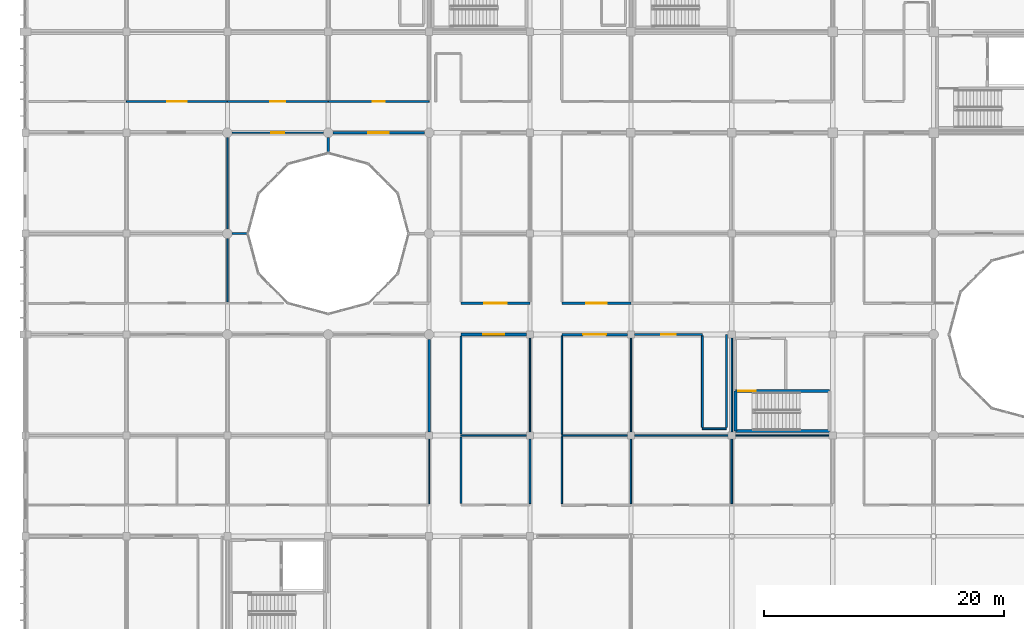
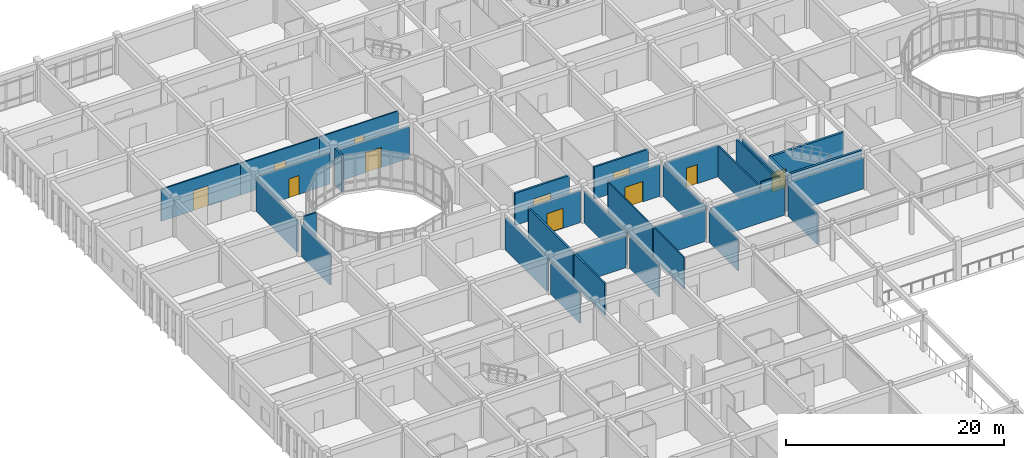
# One storey, part 107 of 144: 36 walls, 11 doors, 11 openings.
"""IFC4 building model written with IfcOpenShell, lengths in metres."""

import ifcopenshell
import ifcopenshell.guid

model = None  # the IFC model being written
_history = None  # IfcOwnerHistory: only IFC2X3 demands one
_inside = {}  # id of a spatial element -> (the spatial element, [elements in it])
_under = {}  # id of a project, library or spatial element -> (it, [spatial elements below it])
_declared = {}  # id of a project -> (the project, [libraries it declares])
_typed = {}  # id of a type object -> (the type object, [elements of that type])
_made_of = {}  # id of a material, layer set ... -> (it, [elements and type objects made of it])


def new_model(schema):
    """Start an empty IFC model of exactly this schema.

    Asked for "IFC4X3", IfcOpenShell would pick the latest addendum, in which some entities
    have other attributes; the version numbers below select the first issue.
    IFC2X3 requires an IfcOwnerHistory on every rooted entity: one is made here for all.
    """
    global model, _history
    if schema == "IFC4X3":
        model = ifcopenshell.file(schema_version=(4, 3, 0, 0))
    else:
        model = ifcopenshell.file(schema=schema)
    _inside.clear()
    _under.clear()
    _declared.clear()
    _typed.clear()
    _made_of.clear()
    _history = None
    if model.schema == "IFC2X3":
        org = make("IfcOrganization", Name="unknown")
        user = make(
            "IfcPersonAndOrganization",
            ThePerson=make("IfcPerson", FamilyName="unknown"),
            TheOrganization=org,
        )
        app = make(
            "IfcApplication",
            ApplicationDeveloper=org,
            Version="unknown",
            ApplicationFullName="unknown",
            ApplicationIdentifier="unknown",
        )
        _history = make(
            "IfcOwnerHistory",
            OwningUser=user,
            OwningApplication=app,
            ChangeAction="ADDED",
            CreationDate=0,
        )
    return model


def make(cls, **values):
    """One entity of the class cls with the attributes given. An attribute that is None is left unset."""
    return model.create_entity(
        cls, **{name: value for name, value in values.items() if value is not None}
    )


def rooted(cls, **values):
    """An entity with a GlobalId (a new one), such as an element, a storey or a relation."""
    return make(cls, GlobalId=ifcopenshell.guid.new(), OwnerHistory=_history, **values)


def si_unit(unit_type, name, prefix=None):
    """IfcSIUnit, for example si_unit("LENGTHUNIT", "METRE", prefix="MILLI")."""
    return make("IfcSIUnit", UnitType=unit_type, Prefix=prefix, Name=name)


def assignment(units):
    """IfcUnitAssignment: the units of a project."""
    return None if units is None else make("IfcUnitAssignment", Units=units)


def point(xyz):
    """IfcCartesianPoint."""
    return None if xyz is None else make("IfcCartesianPoint", Coordinates=xyz)


def direction(xyz):
    """IfcDirection."""
    return None if xyz is None else make("IfcDirection", DirectionRatios=xyz)


def frame(location, z_axis=None, x_axis=None):
    """IfcAxis2Placement3D, a coordinate frame: its origin and axes. An axis left out is left unset."""
    return make(
        "IfcAxis2Placement3D",
        Location=point(location),
        Axis=direction(z_axis),
        RefDirection=direction(x_axis),
    )


def frame_2d(location, x_axis=None):
    """IfcAxis2Placement2D, a coordinate frame in the plane: its origin and x axis."""
    return make(
        "IfcAxis2Placement2D", Location=point(location), RefDirection=direction(x_axis)
    )


def origin():
    """The frame at (0, 0, 0) with its axes left unset."""
    return frame((0.0, 0.0, 0.0))


def place(relative_to, where):
    """IfcLocalPlacement: puts the frame where relative to a parent placement (None: the world)."""
    return make(
        "IfcLocalPlacement", PlacementRelTo=relative_to, RelativePlacement=where
    )


def context(
    kind, dimensions, precision=None, world=None, true_north=None, identifier=None
):
    """IfcGeometricRepresentationContext, for example the 3D "Model" context."""
    return make(
        "IfcGeometricRepresentationContext",
        ContextIdentifier=identifier,
        ContextType=kind,
        CoordinateSpaceDimension=dimensions,
        Precision=precision,
        WorldCoordinateSystem=world,
        TrueNorth=true_north,
    )


def subcontext(parent, identifier, kind, view, scale=None):
    """IfcGeometricRepresentationSubContext, for example "Body" below "Model"."""
    return make(
        "IfcGeometricRepresentationSubContext",
        ContextIdentifier=identifier,
        ContextType=kind,
        ParentContext=parent,
        TargetScale=scale,
        TargetView=view,
    )


def project(units=None, contexts=None):
    """IfcProject with its units and contexts."""
    return rooted(
        "IfcProject",
        Name="project",
        RepresentationContexts=contexts,
        UnitsInContext=assignment(units),
    )


def spatial(cls, under=None, at=None, **own):
    """A site, building, storey or space (cls), placed at a placement, below another one or the project."""
    s = rooted(cls, ObjectPlacement=at, **own)
    if under is not None:
        _under.setdefault(under.id(), (under, []))[1].append(s)
    return s


def profile(cls, at=None, kind="AREA", **sizes):
    """A parametric profile (cls). Its sizes go by their IFC names, for example OverallWidth=200.0."""
    return make(cls, ProfileType=kind, Position=at, **sizes)


def rectangle(**sizes):
    """IfcRectangleProfileDef."""
    return profile("IfcRectangleProfileDef", **sizes)


def extrude(swept, where, along, depth):
    """IfcExtrudedAreaSolid: the profile swept, set in the frame where, extruded along a direction by depth."""
    return make(
        "IfcExtrudedAreaSolid",
        SweptArea=swept,
        Position=where,
        ExtrudedDirection=direction(along),
        Depth=depth,
    )


def shape(context_of_items, identifier, shape_type, items):
    """IfcShapeRepresentation: the items that make up one representation, for example the "Body"."""
    return make(
        "IfcShapeRepresentation",
        ContextOfItems=context_of_items,
        RepresentationIdentifier=identifier,
        RepresentationType=shape_type,
        Items=items,
    )


def material(Name=None, Category=None):
    """IfcMaterial."""
    return make("IfcMaterial", Name=Name, Category=Category)


def layer(
    of_material, thickness, ventilated=None, Name=None, Category=None, Priority=None
):
    """IfcMaterialLayer: one layer of a wall or slab, of a material (None: an air gap)."""
    return make(
        "IfcMaterialLayer",
        Material=of_material,
        LayerThickness=thickness,
        IsVentilated=ventilated,
        Name=Name,
        Category=Category,
        Priority=Priority,
    )


def layer_set(layers, Name=None):
    """IfcMaterialLayerSet."""
    return make("IfcMaterialLayerSet", MaterialLayers=layers, LayerSetName=Name)


def made_of(thing, what):
    """Note that an element or type object is made of a material, layer set ...; save() writes the relation."""
    if what is not None:
        _made_of.setdefault(what.id(), (what, []))[1].append(thing)
    return thing


def type_object(cls, material=None, **own):
    """A type object (cls), such as IfcWallType, which elements share."""
    return made_of(rooted(cls, **own), material)


def element(
    cls,
    number,
    at=None,
    inside=None,
    cuts=None,
    type_object=None,
    material=None,
    context=None,
    identifier="Body",
    shape_type=None,
    held_by="IfcProductDefinitionShape",
    body=None,
    shapes=None,
    **own,
):
    """One element of the class cls, such as IfcWall. Its Tag is "e" and its number.

    at: its placement. inside: the storey or other place that contains it. cuts: it is an
    opening in that element (IfcRelVoidsElement). A single representation is given by context,
    identifier, shape_type and body (its items); several are given by shapes. held_by: the class
    of the entity that holds the representations. save() writes the other relations.
    """
    e = rooted(cls, Tag="e%d" % number, ObjectPlacement=at, **own)
    if body is not None:
        shapes = [shape(context, identifier, shape_type, body)]
    if shapes is not None:
        e.Representation = make(held_by, Representations=shapes)
    if inside is not None:
        _inside.setdefault(inside.id(), (inside, []))[1].append(e)
    if cuts is not None:
        rooted(
            "IfcRelVoidsElement", RelatingBuildingElement=cuts, RelatedOpeningElement=e
        )
    if type_object is not None:
        _typed.setdefault(type_object.id(), (type_object, []))[1].append(e)
    return made_of(e, material)


def fill(opening, filler):
    """IfcRelFillsElement: the door or window that sits in an opening."""
    return rooted(
        "IfcRelFillsElement",
        RelatingOpeningElement=opening,
        RelatedBuildingElement=filler,
    )


def aggregate(whole, parts):
    """IfcRelAggregates: a whole, such as a stair, and the parts it consists of."""
    return rooted("IfcRelAggregates", RelatingObject=whole, RelatedObjects=parts)


def save(model, path):
    """Write the relations noted so far, then the file.

    IfcRelAggregates (storeys below a building ...), IfcRelContainedInSpatialStructure (elements
    in a storey), IfcRelDefinesByType, IfcRelAssociatesMaterial and IfcRelDeclares: one each for
    every whole, place, type object, material and project.
    """
    for whole, parts in _under.values():
        aggregate(whole, parts)
    for where, things in _inside.values():
        rooted(
            "IfcRelContainedInSpatialStructure",
            RelatedElements=things,
            RelatingStructure=where,
        )
    for kind, things in _typed.values():
        rooted("IfcRelDefinesByType", RelatedObjects=things, RelatingType=kind)
    for what, things in _made_of.values():
        rooted("IfcRelAssociatesMaterial", RelatedObjects=things, RelatingMaterial=what)
    for by, libraries in _declared.values():
        rooted("IfcRelDeclares", RelatingContext=by, RelatedDefinitions=libraries)
    model.write(path)


model = new_model("IFC4")

# Units and contexts
model_context = context("Model", 3, precision=1e-05, world=origin(), true_north=direction((0.0, 1.0)))
body_context = subcontext(model_context, "Body", "Model", "MODEL_VIEW")
ifc_project = project(units=[si_unit("LENGTHUNIT", "METRE"), si_unit("AREAUNIT", "SQUARE_METRE"), si_unit("VOLUMEUNIT", "CUBIC_METRE"), si_unit("PLANEANGLEUNIT", "RADIAN"), si_unit("MASSUNIT", "GRAM", prefix="KILO")], contexts=[model_context])

# Site, building, storey
site_placement = place(None, origin())
site = spatial("IfcSite", under=ifc_project, at=site_placement, CompositionType="ELEMENT")
building_placement = place(site_placement, origin())
building = spatial("IfcBuilding", under=site, at=building_placement, Name="Bramfleet General Hospital", CompositionType="ELEMENT")
storey_placement = place(building_placement, frame((0.0, 0.0, 4.800048828125)))
storey = spatial("IfcBuildingStorey", under=building, at=storey_placement, Name="L01", CompositionType="ELEMENT", Elevation=4.800048828125)

# Wall, opening, door
ifc_material_1 = material(Name="Concrete C35/45", Category="concrete")
ifc_layer_1 = layer(ifc_material_1, 0.219970703125, Name="WT-IW-01")
ifc_layer_set_1 = layer_set([ifc_layer_1], Name="Concrete C35/45")
wall_type_1 = type_object("IfcWallType", Name="WT-IW-01", PredefinedType="PARTITIONING", material=ifc_layer_set_1)
wall_1_placement = place(storey_placement, frame((36.25, 75.60009765625, 0.0), z_axis=(0.0, 0.0, 1.0), x_axis=(1.0, 0.0, 0.0)))
wall_1 = element("IfcWall", 1, at=wall_1_placement, inside=storey, type_object=wall_type_1, Name="L01 Interior Partition IW-L01-1429", PredefinedType="PARTITIONING", context=body_context, shape_type="SweptSolid", body=[
    extrude(rectangle(XDim=5.455078125, YDim=0.219970703125, at=frame_2d((2.7275390625, 0.0))), origin(), (0.0, 0.0, 1.0), 3.5400390625),
])
opening_1_placement = place(wall_1_placement, frame((1.857421875, 0.0, 0.0)))
opening_1 = element("IfcOpeningElement", 2, at=opening_1_placement, cuts=wall_1, Name="Opening D0691", PredefinedType="OPENING", context=body_context, shape_type="SweptSolid", body=[
    extrude(rectangle(XDim=1.739990234375, YDim=2.239990234375, at=frame_2d((0.8701171875, 1.1201171875))), frame((0.0, 0.119873046875, 0.0), z_axis=(0.0, -1.0, 0.0), x_axis=(1.0, 0.0, 0.0)), (0.0, 0.0, 1.0), 0.239990234375),
])
ifc_material_2 = material(Name="Stainless steel and acoustic timber leaf", Category="steel")
door_type_1 = type_object("IfcDoorType", Name="DR-D-19", OperationType="NOTDEFINED", PredefinedType="DOOR", material=ifc_material_2)
door_1_placement = place(opening_1_placement, origin())
door_1 = element("IfcDoor", 3, at=door_1_placement, inside=storey, type_object=door_type_1, Name="Endoscopy and Day Surgery Procedure Room L01-0408 Door D0691", OperationType="DOUBLE_SWING_RIGHT", OverallHeight=2.239990234375, OverallWidth=1.739990234375, PredefinedType="DOOR", context=body_context, shape_type="SweptSolid", body=[
    extrude(rectangle(XDim=1.739990234375, YDim=2.239990234375, at=frame_2d((0.8701171875, 1.1201171875))), frame((0.0, 0.02490234375, 0.0), z_axis=(0.0, -1.0, 0.0), x_axis=(1.0, 0.0, 0.0)), (0.0, 0.0, 1.0), 0.050048828125),
])
fill(opening_1, door_1)

wall_2_placement = place(storey_placement, frame((25.594970703125, 92.39990234375, 0.0), z_axis=(0.0, 0.0, 1.0), x_axis=(1.0, 0.0, 0.0)))
wall_2 = element("IfcWall", 4, at=wall_2_placement, inside=storey, type_object=wall_type_1, Name="L01 Interior Partition IW-L01-1477", PredefinedType="PARTITIONING", context=body_context, shape_type="SweptSolid", body=[
    extrude(rectangle(XDim=7.610107421875, YDim=0.219970703125, at=frame_2d((3.80517578125, 0.0))), origin(), (0.0, 0.0, 1.0), 3.5400390625),
])
opening_2_placement = place(wall_2_placement, frame((2.955078125, 0.0, 0.0)))
opening_2 = element("IfcOpeningElement", 5, at=opening_2_placement, cuts=wall_2, Name="Opening D0679", PredefinedType="OPENING", context=body_context, shape_type="SweptSolid", body=[
    extrude(rectangle(XDim=1.699951171875, YDim=2.25, at=frame_2d((0.85009765625, 1.125))), frame((0.0, 0.119873046875, 0.0), z_axis=(0.0, -1.0, 0.0), x_axis=(1.0, 0.0, 0.0)), (0.0, 0.0, 1.0), 0.239990234375),
])
door_type_2 = type_object("IfcDoorType", Name="DR-D-07", OperationType="NOTDEFINED", PredefinedType="DOOR", material=ifc_material_2)
door_2_placement = place(opening_2_placement, origin())
door_2 = element("IfcDoor", 6, at=door_2_placement, inside=storey, type_object=door_type_2, Name="Courtyard Waiting Lounge L01-0310 Door D0679", OperationType="DOUBLE_SWING_RIGHT", OverallHeight=2.25, OverallWidth=1.699951171875, PredefinedType="DOOR", context=body_context, shape_type="SweptSolid", body=[
    extrude(rectangle(XDim=1.699951171875, YDim=2.25, at=frame_2d((0.85009765625, 1.125))), frame((0.0, 0.02490234375, 0.0), z_axis=(0.0, -1.0, 0.0), x_axis=(1.0, 0.0, 0.0)), (0.0, 0.0, 1.0), 0.050048828125),
])
fill(opening_2, door_2)

# Wall
wall_3_placement = place(storey_placement, frame((33.60009765625, 67.4951171875, 0.0), z_axis=(0.0, 0.0, 1.0), x_axis=(0.0, 1.0, 0.0)))
element("IfcWall", 7, at=wall_3_placement, inside=storey, type_object=wall_type_1, Name="L01 Interior Partition IW-L01-1681", PredefinedType="PARTITIONING", context=body_context, shape_type="SweptSolid", body=[
    extrude(rectangle(XDim=7.7099609375, YDim=0.219970703125, at=frame_2d((3.85498046875, 0.0))), origin(), (0.0, 0.0, 1.0), 3.58984375),
])

# Wall, opening, door
ifc_layer_2 = layer(ifc_material_1, 0.205078125, Name="WT-IW-02")
ifc_layer_set_2 = layer_set([ifc_layer_2], Name="Concrete C35/45")
wall_type_2 = type_object("IfcWallType", Name="WT-IW-02", PredefinedType="PARTITIONING", material=ifc_layer_set_2)
wall_4_placement = place(storey_placement, frame((44.64990234375, 75.60009765625, 0.0), z_axis=(0.0, 0.0, 1.0), x_axis=(1.0, 0.0, 0.0)))
wall_4 = element("IfcWall", 8, at=wall_4_placement, inside=storey, type_object=wall_type_2, Name="L01 Interior Partition IW-L01-1430", PredefinedType="PARTITIONING", context=body_context, shape_type="SweptSolid", body=[
    extrude(rectangle(XDim=5.455078125, YDim=0.205078125, at=frame_2d((2.7275390625, 0.0))), origin(), (0.0, 0.0, 1.0), 3.5400390625),
])
opening_3_placement = place(wall_4_placement, frame((1.777587890625, 0.0, 0.0)))
opening_3 = element("IfcOpeningElement", 9, at=opening_3_placement, cuts=wall_4, Name="Opening D0710", PredefinedType="OPENING", context=body_context, shape_type="SweptSolid", body=[
    extrude(rectangle(XDim=1.89990234375, YDim=2.300048828125, at=frame_2d((0.949951171875, 1.14990234375))), frame((0.0, 0.112548828125, 0.0), z_axis=(0.0, -1.0, 0.0), x_axis=(1.0, 0.0, 0.0)), (0.0, 0.0, 1.0), 0.22509765625),
])
door_type_3 = type_object("IfcDoorType", Name="DR-D-06", OperationType="NOTDEFINED", PredefinedType="DOOR", material=ifc_material_2)
door_3_placement = place(opening_3_placement, origin())
door_3 = element("IfcDoor", 10, at=door_3_placement, inside=storey, type_object=door_type_3, Name="Endoscopy and Day Surgery Procedure Room L01-0508 Door D0710", OperationType="DOUBLE_SWING_LEFT", OverallHeight=2.300048828125, OverallWidth=1.89990234375, PredefinedType="DOOR", context=body_context, shape_type="SweptSolid", body=[
    extrude(rectangle(XDim=1.89990234375, YDim=2.300048828125, at=frame_2d((0.949951171875, 1.14990234375))), frame((0.0, 0.02490234375, 0.0), z_axis=(0.0, -1.0, 0.0), x_axis=(1.0, 0.0, 0.0)), (0.0, 0.0, 1.0), 0.050048828125),
])
fill(opening_3, door_3)

wall_5_placement = place(storey_placement, frame((36.25, 78.199951171875, 0.0), z_axis=(0.0, 0.0, 1.0), x_axis=(1.0, 0.0, 0.0)))
wall_5 = element("IfcWall", 11, at=wall_5_placement, inside=storey, type_object=wall_type_2, Name="L01 Interior Partition IW-L01-1442", PredefinedType="PARTITIONING", context=body_context, shape_type="SweptSolid", body=[
    extrude(rectangle(XDim=5.75, YDim=0.205078125, at=frame_2d((2.875, 0.0))), origin(), (0.0, 0.0, 1.0), 3.58984375),
])
opening_4_placement = place(wall_5_placement, frame((1.955078125, 0.0, 0.0)))
opening_4 = element("IfcOpeningElement", 12, at=opening_4_placement, cuts=wall_5, Name="Opening D0692", PredefinedType="OPENING", context=body_context, shape_type="SweptSolid", body=[
    extrude(rectangle(XDim=1.840087890625, YDim=2.280029296875, at=frame_2d((0.919921875, 1.14013671875))), frame((0.0, 0.112548828125, 0.0), z_axis=(0.0, -1.0, 0.0), x_axis=(1.0, 0.0, 0.0)), (0.0, 0.0, 1.0), 0.22509765625),
])
door_type_4 = type_object("IfcDoorType", Name="DR-D-20", OperationType="NOTDEFINED", PredefinedType="DOOR", material=ifc_material_2)
door_4_placement = place(opening_4_placement, origin())
door_4 = element("IfcDoor", 13, at=door_4_placement, inside=storey, type_object=door_type_4, Name="Endoscopy and Day Surgery Procedure Room L01-0409 Door D0692", OperationType="DOUBLE_SWING_LEFT", OverallHeight=2.280029296875, OverallWidth=1.840087890625, PredefinedType="DOOR", context=body_context, shape_type="SweptSolid", body=[
    extrude(rectangle(XDim=1.840087890625, YDim=2.280029296875, at=frame_2d((0.919921875, 1.14013671875))), frame((0.0, 0.02490234375, 0.0), z_axis=(0.0, -1.0, 0.0), x_axis=(1.0, 0.0, 0.0)), (0.0, 0.0, 1.0), 0.050048828125),
])
fill(opening_4, door_4)

# Wall
wall_6_placement = place(storey_placement, frame((25.199951171875, 90.699951171875, 0.0), z_axis=(0.0, 0.0, 1.0), x_axis=(0.0, 1.0, 0.0)))
element("IfcWall", 14, at=wall_6_placement, inside=storey, type_object=wall_type_2, Name="L01 Interior Partition IW-L01-1658", PredefinedType="PARTITIONING", context=body_context, shape_type="SweptSolid", body=[
    extrude(rectangle(XDim=1.304931640625, YDim=0.205078125, at=frame_2d((0.65234375, 0.0))), origin(), (0.0, 0.0, 1.0), 4.139892578125),
])

# Wall, opening, door
ifc_layer_3 = layer(ifc_material_1, 0.18994140625, Name="WT-IW-03")
ifc_layer_set_3 = layer_set([ifc_layer_3], Name="Concrete C35/45")
wall_type_3 = type_object("IfcWallType", Name="WT-IW-03", PredefinedType="PARTITIONING", material=ifc_layer_set_3)
wall_7_placement = place(storey_placement, frame((50.695068359375, 75.60009765625, 0.0), z_axis=(0.0, 0.0, 1.0), x_axis=(1.0, 0.0, 0.0)))
wall_7 = element("IfcWall", 15, at=wall_7_placement, inside=storey, type_object=wall_type_3, Name="L01 Interior Partition IW-L01-1431", PredefinedType="PARTITIONING", context=body_context, shape_type="SweptSolid", body=[
    extrude(rectangle(XDim=5.655029296875, YDim=0.18994140625, at=frame_2d((2.82763671875, 0.0))), origin(), (0.0, 0.0, 1.0), 3.5400390625),
])
opening_5_placement = place(wall_7_placement, frame((2.2275390625, 0.0, 0.0)))
opening_5 = element("IfcOpeningElement", 16, at=opening_5_placement, cuts=wall_7, Name="Opening D0717", PredefinedType="OPENING", context=body_context, shape_type="SweptSolid", body=[
    extrude(rectangle(XDim=1.199951171875, YDim=2.14990234375, at=frame_2d((0.60009765625, 1.074951171875))), frame((0.0, 0.10498046875, 0.0), z_axis=(0.0, -1.0, 0.0), x_axis=(1.0, 0.0, 0.0)), (0.0, 0.0, 1.0), 0.2099609375),
])
door_type_5 = type_object("IfcDoorType", Name="DR-D-13", OperationType="NOTDEFINED", PredefinedType="DOOR", material=ifc_material_2)
door_5_placement = place(opening_5_placement, origin())
door_5 = element("IfcDoor", 17, at=door_5_placement, inside=storey, type_object=door_type_5, Name="Endoscopy and Day Surgery Procedure Room L01-0608 Door D0717", OperationType="SINGLE_SWING_RIGHT", OverallHeight=2.14990234375, OverallWidth=1.199951171875, PredefinedType="DOOR", context=body_context, shape_type="SweptSolid", body=[
    extrude(rectangle(XDim=1.199951171875, YDim=2.14990234375, at=frame_2d((0.60009765625, 1.074951171875))), frame((0.0, 0.02490234375, 0.0), z_axis=(0.0, -1.0, 0.0), x_axis=(1.0, 0.0, 0.0)), (0.0, 0.0, 1.0), 0.050048828125),
])
fill(opening_5, door_5)

wall_8_placement = place(storey_placement, frame((44.64990234375, 78.199951171875, 0.0), z_axis=(0.0, 0.0, 1.0), x_axis=(1.0, 0.0, 0.0)))
wall_8 = element("IfcWall", 18, at=wall_8_placement, inside=storey, type_object=wall_type_3, Name="L01 Interior Partition IW-L01-1443", PredefinedType="PARTITIONING", context=body_context, shape_type="SweptSolid", body=[
    extrude(rectangle(XDim=5.75, YDim=0.18994140625, at=frame_2d((2.875, 0.0))), origin(), (0.0, 0.0, 1.0), 3.58984375),
])
opening_6_placement = place(wall_8_placement, frame((2.02490234375, 0.0, 0.0)))
opening_6 = element("IfcOpeningElement", 19, at=opening_6_placement, cuts=wall_8, Name="Opening D0711", PredefinedType="OPENING", context=body_context, shape_type="SweptSolid", body=[
    extrude(rectangle(XDim=1.699951171875, YDim=2.25, at=frame_2d((0.85009765625, 1.125))), frame((0.0, 0.10498046875, 0.0), z_axis=(0.0, -1.0, 0.0), x_axis=(1.0, 0.0, 0.0)), (0.0, 0.0, 1.0), 0.2099609375),
])
door_6_placement = place(opening_6_placement, origin())
door_6 = element("IfcDoor", 20, at=door_6_placement, inside=storey, type_object=door_type_2, Name="Endoscopy and Day Surgery Procedure Room L01-0509 Door D0711", OperationType="DOUBLE_SWING_RIGHT", OverallHeight=2.25, OverallWidth=1.699951171875, PredefinedType="DOOR", context=body_context, shape_type="SweptSolid", body=[
    extrude(rectangle(XDim=1.699951171875, YDim=2.25, at=frame_2d((0.85009765625, 1.125))), frame((0.0, 0.02490234375, 0.0), z_axis=(0.0, -1.0, 0.0), x_axis=(1.0, 0.0, 0.0)), (0.0, 0.0, 1.0), 0.050048828125),
])
fill(opening_6, door_6)

# Walls
wall_9_placement = place(storey_placement, frame((36.25, 61.514892578125, 0.0), z_axis=(0.0, 0.0, 1.0), x_axis=(0.0, 1.0, 0.0)))
element("IfcWall", 21, at=wall_9_placement, inside=storey, type_object=wall_type_3, Name="L01 Interior Partition IW-L01-1695", PredefinedType="PARTITIONING", context=body_context, shape_type="SweptSolid", body=[
    extrude(rectangle(XDim=5.570068359375, YDim=0.18994140625, at=frame_2d((2.78515625, 0.0))), origin(), (0.0, 0.0, 1.0), 3.5400390625),
])
ifc_layer_4 = layer(ifc_material_1, 0.179931640625, Name="WT-IW-04")
ifc_layer_set_4 = layer_set([ifc_layer_4], Name="Concrete C35/45")
wall_type_4 = type_object("IfcWallType", Name="WT-IW-04", PredefinedType="PARTITIONING", material=ifc_layer_set_4)
wall_10_placement = place(storey_placement, frame((36.25, 67.31494140625, 0.0), z_axis=(0.0, 0.0, 1.0), x_axis=(0.0, 1.0, 0.0)))
element("IfcWall", 22, at=wall_10_placement, inside=storey, type_object=wall_type_4, Name="L01 Interior Partition IW-L01-1696", PredefinedType="PARTITIONING", context=body_context, shape_type="SweptSolid", body=[
    extrude(rectangle(XDim=8.170166015625, YDim=0.179931640625, at=frame_2d((4.0849609375, 0.0))), origin(), (0.0, 0.0, 1.0), 3.5400390625),
])
ifc_material_3 = material(Name="Gypsum plasterboard on acoustic steel studs", Category="steel")
ifc_layer_5 = layer(ifc_material_3, 0.169921875, Name="WT-IW-05")
ifc_layer_set_5 = layer_set([ifc_layer_5], Name="Gypsum plasterboard on acoustic steel studs")
wall_type_5 = type_object("IfcWallType", Name="WT-IW-05", PredefinedType="PARTITIONING", material=ifc_layer_set_5)
wall_11_placement = place(storey_placement, frame((17.195068359375, 84.0, 0.0), z_axis=(0.0, 0.0, 1.0), x_axis=(1.0, 0.0, 0.0)))
element("IfcWall", 23, at=wall_11_placement, inside=storey, type_object=wall_type_5, Name="L01 Interior Partition IW-L01-1457", PredefinedType="PARTITIONING", context=body_context, shape_type="SweptSolid", body=[
    extrude(rectangle(XDim=1.304931640625, YDim=0.169921875, at=frame_2d((0.65234375, 0.0))), origin(), (0.0, 0.0, 1.0), 4.139892578125),
])
ifc_layer_6 = layer(ifc_material_3, 0.159912109375, Name="WT-IW-06")
ifc_layer_set_6 = layer_set([ifc_layer_6], Name="Gypsum plasterboard on acoustic steel studs")
wall_type_6 = type_object("IfcWallType", Name="WT-IW-06", PredefinedType="PARTITIONING", material=ifc_layer_set_6)
wall_12_placement = place(storey_placement, frame((56.35009765625, 67.864990234375, 0.0), z_axis=(0.0, 0.0, 1.0), x_axis=(0.0, 1.0, 0.0)))
element("IfcWall", 24, at=wall_12_placement, inside=storey, type_object=wall_type_6, Name="L01 Interior Partition IW-L01-1758", PredefinedType="PARTITIONING", context=body_context, shape_type="SweptSolid", body=[
    extrude(rectangle(XDim=7.6201171875, YDim=0.159912109375, at=frame_2d((3.81005859375, 0.0))), origin(), (0.0, 0.0, 1.0), 3.5400390625),
])

# Wall, opening, door
ifc_layer_7 = layer(ifc_material_3, 0.14990234375, Name="WT-IW-07")
ifc_layer_set_7 = layer_set([ifc_layer_7], Name="Gypsum plasterboard on acoustic steel studs")
wall_type_7 = type_object("IfcWallType", Name="WT-IW-07", PredefinedType="PARTITIONING", material=ifc_layer_set_7)
wall_13_placement = place(storey_placement, frame((8.39990234375, 95.0, 0.0), z_axis=(0.0, 0.0, 1.0), x_axis=(1.0, 0.0, 0.0)))
wall_13 = element("IfcWall", 25, at=wall_13_placement, inside=storey, type_object=wall_type_7, Name="L01 Interior Partition IW-L01-1495", PredefinedType="PARTITIONING", context=body_context, shape_type="SweptSolid", body=[
    extrude(rectangle(XDim=8.400146484375, YDim=0.14990234375, at=frame_2d((4.2001953125, 0.0))), origin(), (0.0, 0.0, 1.0), 3.58984375),
])
opening_7_placement = place(wall_13_placement, frame((3.39990234375, 0.0, 0.0)))
opening_7 = element("IfcOpeningElement", 26, at=opening_7_placement, cuts=wall_13, Name="Opening D0644", PredefinedType="OPENING", context=body_context, shape_type="SweptSolid", body=[
    extrude(rectangle(XDim=1.60009765625, YDim=2.25, at=frame_2d((0.800048828125, 1.125))), frame((0.0, 0.0849609375, 0.0), z_axis=(0.0, -1.0, 0.0), x_axis=(1.0, 0.0, 0.0)), (0.0, 0.0, 1.0), 0.169921875),
])
door_type_6 = type_object("IfcDoorType", Name="DR-D-04", OperationType="NOTDEFINED", PredefinedType="DOOR", material=ifc_material_2)
door_7_placement = place(opening_7_placement, origin())
door_7 = element("IfcDoor", 27, at=door_7_placement, inside=storey, type_object=door_type_6, Name="Endoscopy and Day Surgery Procedure Room L01-0111 Door D0644", OperationType="DOUBLE_SWING_LEFT", OverallHeight=2.25, OverallWidth=1.60009765625, PredefinedType="DOOR", context=body_context, shape_type="SweptSolid", body=[
    extrude(rectangle(XDim=1.60009765625, YDim=2.25, at=frame_2d((0.800048828125, 1.125))), frame((0.0, 0.02490234375, 0.0), z_axis=(0.0, -1.0, 0.0), x_axis=(1.0, 0.0, 0.0)), (0.0, 0.0, 1.0), 0.050048828125),
])
fill(opening_7, door_7)

# Walls
wall_14_placement = place(storey_placement, frame((58.35009765625, 67.864990234375, 0.0), z_axis=(0.0, 0.0, 1.0), x_axis=(0.0, 1.0, 0.0)))
element("IfcWall", 28, at=wall_14_placement, inside=storey, type_object=wall_type_7, Name="L01 Interior Partition IW-L01-1759", PredefinedType="PARTITIONING", context=body_context, shape_type="SweptSolid", body=[
    extrude(rectangle(XDim=7.735107421875, YDim=0.14990234375, at=frame_2d((3.86767578125, 0.0))), origin(), (0.0, 0.0, 1.0), 3.5400390625),
])
ifc_layer_8 = layer(ifc_material_3, 0.139892578125, Name="WT-IW-08")
ifc_layer_set_8 = layer_set([ifc_layer_8], Name="Gypsum plasterboard on acoustic steel studs")
wall_type_8 = type_object("IfcWallType", Name="WT-IW-08", PredefinedType="PARTITIONING", material=ifc_layer_set_8)
wall_15_placement = place(storey_placement, frame((56.35009765625, 67.75, 0.0), z_axis=(0.0, 0.0, 1.0), x_axis=(1.0, 0.0, 0.0)))
element("IfcWall", 29, at=wall_15_placement, inside=storey, type_object=wall_type_8, Name="L01 Interior Partition IW-L01-1424", PredefinedType="PARTITIONING", context=body_context, shape_type="SweptSolid", body=[
    extrude(rectangle(XDim=2.0, YDim=0.139892578125, at=frame_2d((1.0, 0.0))), origin(), (0.0, 0.0, 1.0), 4.139892578125),
])

# Wall, opening, door
wall_16_placement = place(storey_placement, frame((16.800048828125, 95.0, 0.0), z_axis=(0.0, 0.0, 1.0), x_axis=(1.0, 0.0, 0.0)))
wall_16 = element("IfcWall", 30, at=wall_16_placement, inside=storey, type_object=wall_type_8, Name="L01 Interior Partition IW-L01-1496", PredefinedType="PARTITIONING", context=body_context, shape_type="SweptSolid", body=[
    extrude(rectangle(XDim=8.39990234375, YDim=0.139892578125, at=frame_2d((4.199951171875, 0.0))), origin(), (0.0, 0.0, 1.0), 3.58984375),
])
opening_8_placement = place(wall_16_placement, frame((3.590087890625, 0.0, 0.0)))
opening_8 = element("IfcOpeningElement", 31, at=opening_8_placement, cuts=wall_16, Name="Opening D0663", PredefinedType="OPENING", context=body_context, shape_type="SweptSolid", body=[
    extrude(rectangle(XDim=1.219970703125, YDim=2.179931640625, at=frame_2d((0.60986328125, 1.08984375))), frame((0.0, 0.079833984375, 0.0), z_axis=(0.0, -1.0, 0.0), x_axis=(1.0, 0.0, 0.0)), (0.0, 0.0, 1.0), 0.159912109375),
])
door_type_7 = type_object("IfcDoorType", Name="DR-D-23", OperationType="NOTDEFINED", PredefinedType="DOOR", material=ifc_material_2)
door_8_placement = place(opening_8_placement, origin())
door_8 = element("IfcDoor", 32, at=door_8_placement, inside=storey, type_object=door_type_7, Name="Endoscopy and Day Surgery Procedure Room L01-0211 Door D0663", OperationType="SINGLE_SWING_RIGHT", OverallHeight=2.179931640625, OverallWidth=1.219970703125, PredefinedType="DOOR", context=body_context, shape_type="SweptSolid", body=[
    extrude(rectangle(XDim=1.219970703125, YDim=2.179931640625, at=frame_2d((0.60986328125, 1.08984375))), frame((0.0, 0.02490234375, 0.0), z_axis=(0.0, -1.0, 0.0), x_axis=(1.0, 0.0, 0.0)), (0.0, 0.0, 1.0), 0.050048828125),
])
fill(opening_8, door_8)

# Walls
wall_17_placement = place(storey_placement, frame((16.800048828125, 78.31494140625, 0.0), z_axis=(0.0, 0.0, 1.0), x_axis=(0.0, 1.0, 0.0)))
element("IfcWall", 33, at=wall_17_placement, inside=storey, type_object=wall_type_8, Name="L01 Interior Partition IW-L01-1628", PredefinedType="PARTITIONING", context=body_context, shape_type="SweptSolid", body=[
    extrude(rectangle(XDim=5.2900390625, YDim=0.139892578125, at=frame_2d((2.64501953125, 0.0))), origin(), (0.0, 0.0, 1.0), 3.58984375),
])
wall_18_placement = place(storey_placement, frame((58.800048828125, 61.514892578125, 0.0), z_axis=(0.0, 0.0, 1.0), x_axis=(0.0, 1.0, 0.0)))
element("IfcWall", 34, at=wall_18_placement, inside=storey, type_object=wall_type_8, Name="L01 Interior Partition IW-L01-1760", PredefinedType="PARTITIONING", context=body_context, shape_type="SweptSolid", body=[
    extrude(rectangle(XDim=5.39013671875, YDim=0.139892578125, at=frame_2d((2.695068359375, 0.0))), origin(), (0.0, 0.0, 1.0), 3.58984375),
])
ifc_layer_9 = layer(ifc_material_3, 0.1298828125, Name="WT-IW-09")
ifc_layer_set_9 = layer_set([ifc_layer_9], Name="Gypsum plasterboard on acoustic steel studs")
wall_type_9 = type_object("IfcWallType", Name="WT-IW-09", PredefinedType="PARTITIONING", material=ifc_layer_set_9)
wall_19_placement = place(storey_placement, frame((36.25, 67.199951171875, 0.0), z_axis=(0.0, 0.0, 1.0), x_axis=(1.0, 0.0, 0.0)))
element("IfcWall", 35, at=wall_19_placement, inside=storey, type_object=wall_type_9, Name="L01 Interior Partition IW-L01-1413", PredefinedType="PARTITIONING", context=body_context, shape_type="SweptSolid", body=[
    extrude(rectangle(XDim=5.455078125, YDim=0.1298828125, at=frame_2d((2.7275390625, 0.0))), origin(), (0.0, 0.0, 1.0), 3.5400390625),
])

# Wall, opening, door
wall_20_placement = place(storey_placement, frame((25.199951171875, 95.0, 0.0), z_axis=(0.0, 0.0, 1.0), x_axis=(1.0, 0.0, 0.0)))
wall_20 = element("IfcWall", 36, at=wall_20_placement, inside=storey, type_object=wall_type_9, Name="L01 Interior Partition IW-L01-1497", PredefinedType="PARTITIONING", context=body_context, shape_type="SweptSolid", body=[
    extrude(rectangle(XDim=8.400146484375, YDim=0.1298828125, at=frame_2d((4.2001953125, 0.0))), origin(), (0.0, 0.0, 1.0), 3.58984375),
])
opening_9_placement = place(wall_20_placement, frame((3.699951171875, 0.0, 0.0)))
opening_9 = element("IfcOpeningElement", 37, at=opening_9_placement, cuts=wall_20, Name="Opening D0680", PredefinedType="OPENING", context=body_context, shape_type="SweptSolid", body=[
    extrude(rectangle(XDim=1.0, YDim=2.14990234375, at=frame_2d((0.5, 1.074951171875))), frame((0.0, 0.074951171875, 0.0), z_axis=(0.0, -1.0, 0.0), x_axis=(1.0, 0.0, 0.0)), (0.0, 0.0, 1.0), 0.14990234375),
])
door_type_8 = type_object("IfcDoorType", Name="DR-D-08", OperationType="NOTDEFINED", PredefinedType="DOOR", material=ifc_material_2)
door_9_placement = place(opening_9_placement, origin())
door_9 = element("IfcDoor", 38, at=door_9_placement, inside=storey, type_object=door_type_8, Name="Endoscopy and Day Surgery Procedure Room L01-0311 Door D0680", OperationType="SINGLE_SWING_LEFT", OverallHeight=2.14990234375, OverallWidth=1.0, PredefinedType="DOOR", context=body_context, shape_type="SweptSolid", body=[
    extrude(rectangle(XDim=1.0, YDim=2.14990234375, at=frame_2d((0.5, 1.074951171875))), frame((0.0, 0.02490234375, 0.0), z_axis=(0.0, -1.0, 0.0), x_axis=(1.0, 0.0, 0.0)), (0.0, 0.0, 1.0), 0.050048828125),
])
fill(opening_9, door_9)

# Walls
wall_21_placement = place(storey_placement, frame((16.800048828125, 84.39501953125, 0.0), z_axis=(0.0, 0.0, 1.0), x_axis=(0.0, 1.0, 0.0)))
element("IfcWall", 39, at=wall_21_placement, inside=storey, type_object=wall_type_9, Name="L01 Interior Partition IW-L01-1629", PredefinedType="PARTITIONING", context=body_context, shape_type="SweptSolid", body=[
    extrude(rectangle(XDim=7.60986328125, YDim=0.1298828125, at=frame_2d((3.804931640625, 0.0))), origin(), (0.0, 0.0, 1.0), 3.58984375),
])
wall_22_placement = place(storey_placement, frame((42.0, 61.514892578125, 0.0), z_axis=(0.0, 0.0, 1.0), x_axis=(0.0, 1.0, 0.0)))
element("IfcWall", 40, at=wall_22_placement, inside=storey, type_object=wall_type_9, Name="L01 Interior Partition IW-L01-1713", PredefinedType="PARTITIONING", context=body_context, shape_type="SweptSolid", body=[
    extrude(rectangle(XDim=5.39013671875, YDim=0.1298828125, at=frame_2d((2.695068359375, 0.0))), origin(), (0.0, 0.0, 1.0), 3.58984375),
])
wall_23_placement = place(storey_placement, frame((44.64990234375, 61.514892578125, 0.0), z_axis=(0.0, 0.0, 1.0), x_axis=(0.0, 1.0, 0.0)))
element("IfcWall", 41, at=wall_23_placement, inside=storey, type_object=wall_type_9, Name="L01 Interior Partition IW-L01-1725", PredefinedType="PARTITIONING", context=body_context, shape_type="SweptSolid", body=[
    extrude(rectangle(XDim=5.570068359375, YDim=0.1298828125, at=frame_2d((2.78515625, 0.0))), origin(), (0.0, 0.0, 1.0), 3.5400390625),
])
wall_24_placement = place(storey_placement, frame((58.800048828125, 67.4951171875, 0.0), z_axis=(0.0, 0.0, 1.0), x_axis=(0.0, 1.0, 0.0)))
element("IfcWall", 42, at=wall_24_placement, inside=storey, type_object=wall_type_9, Name="L01 Interior Partition IW-L01-1761", PredefinedType="PARTITIONING", context=body_context, shape_type="SweptSolid", body=[
    extrude(rectangle(XDim=7.809814453125, YDim=0.1298828125, at=frame_2d((3.90478515625, 0.0))), origin(), (0.0, 0.0, 1.0), 3.58984375),
])
ifc_layer_10 = layer(ifc_material_3, 0.1201171875, Name="WT-IW-10")
ifc_layer_set_10 = layer_set([ifc_layer_10], Name="Gypsum plasterboard on acoustic steel studs")
wall_type_10 = type_object("IfcWallType", Name="WT-IW-10", PredefinedType="PARTITIONING", material=ifc_layer_set_10)
wall_25_placement = place(storey_placement, frame((44.64990234375, 67.199951171875, 0.0), z_axis=(0.0, 0.0, 1.0), x_axis=(1.0, 0.0, 0.0)))
element("IfcWall", 43, at=wall_25_placement, inside=storey, type_object=wall_type_10, Name="L01 Interior Partition IW-L01-1414", PredefinedType="PARTITIONING", context=body_context, shape_type="SweptSolid", body=[
    extrude(rectangle(XDim=5.455078125, YDim=0.1201171875, at=frame_2d((2.7275390625, 0.0))), origin(), (0.0, 0.0, 1.0), 3.5400390625),
])
wall_26_placement = place(storey_placement, frame((42.0, 67.4951171875, 0.0), z_axis=(0.0, 0.0, 1.0), x_axis=(0.0, 1.0, 0.0)))
element("IfcWall", 44, at=wall_26_placement, inside=storey, type_object=wall_type_10, Name="L01 Interior Partition IW-L01-1714", PredefinedType="PARTITIONING", context=body_context, shape_type="SweptSolid", body=[
    extrude(rectangle(XDim=7.809814453125, YDim=0.1201171875, at=frame_2d((3.90478515625, 0.0))), origin(), (0.0, 0.0, 1.0), 3.58984375),
])
wall_27_placement = place(storey_placement, frame((44.64990234375, 67.31494140625, 0.0), z_axis=(0.0, 0.0, 1.0), x_axis=(0.0, 1.0, 0.0)))
element("IfcWall", 45, at=wall_27_placement, inside=storey, type_object=wall_type_10, Name="L01 Interior Partition IW-L01-1726", PredefinedType="PARTITIONING", context=body_context, shape_type="SweptSolid", body=[
    extrude(rectangle(XDim=8.170166015625, YDim=0.1201171875, at=frame_2d((4.0849609375, 0.0))), origin(), (0.0, 0.0, 1.0), 3.5400390625),
])
ifc_layer_11 = layer(ifc_material_3, 0.112060546875, Name="WT-IW-11")
ifc_layer_set_11 = layer_set([ifc_layer_11], Name="Gypsum plasterboard on acoustic steel studs")
wall_type_11 = type_object("IfcWallType", Name="WT-IW-11", PredefinedType="PARTITIONING", material=ifc_layer_set_11)
wall_28_placement = place(storey_placement, frame((50.695068359375, 67.199951171875, 0.0), z_axis=(0.0, 0.0, 1.0), x_axis=(1.0, 0.0, 0.0)))
element("IfcWall", 46, at=wall_28_placement, inside=storey, type_object=wall_type_11, Name="L01 Interior Partition IW-L01-1415", PredefinedType="PARTITIONING", context=body_context, shape_type="SweptSolid", body=[
    extrude(rectangle(XDim=7.809814453125, YDim=0.112060546875, at=frame_2d((3.90478515625, 0.0))), origin(), (0.0, 0.0, 1.0), 3.5400390625),
])
wall_29_placement = place(storey_placement, frame((50.39990234375, 61.514892578125, 0.0), z_axis=(0.0, 0.0, 1.0), x_axis=(0.0, 1.0, 0.0)))
element("IfcWall", 47, at=wall_29_placement, inside=storey, type_object=wall_type_11, Name="L01 Interior Partition IW-L01-1751", PredefinedType="PARTITIONING", context=body_context, shape_type="SweptSolid", body=[
    extrude(rectangle(XDim=5.39013671875, YDim=0.112060546875, at=frame_2d((2.695068359375, 0.0))), origin(), (0.0, 0.0, 1.0), 3.58984375),
])
ifc_layer_12 = layer(ifc_material_3, 0.10009765625, Name="WT-IW-12")
ifc_layer_set_12 = layer_set([ifc_layer_12], Name="Gypsum plasterboard on acoustic steel studs")
wall_type_12 = type_object("IfcWallType", Name="WT-IW-12", PredefinedType="PARTITIONING", material=ifc_layer_set_12)
wall_30_placement = place(storey_placement, frame((59.094970703125, 67.199951171875, 0.0), z_axis=(0.0, 0.0, 1.0), x_axis=(1.0, 0.0, 0.0)))
element("IfcWall", 48, at=wall_30_placement, inside=storey, type_object=wall_type_12, Name="L01 Interior Partition IW-L01-1416", PredefinedType="PARTITIONING", context=body_context, shape_type="SweptSolid", body=[
    extrude(rectangle(XDim=7.81005859375, YDim=0.10009765625, at=frame_2d((3.905029296875, 0.0))), origin(), (0.0, 0.0, 1.0), 3.5400390625),
])

# Wall, opening, door
wall_31_placement = place(storey_placement, frame((17.195068359375, 92.39990234375, 0.0), z_axis=(0.0, 0.0, 1.0), x_axis=(1.0, 0.0, 0.0)))
wall_31 = element("IfcWall", 49, at=wall_31_placement, inside=storey, type_object=wall_type_12, Name="L01 Interior Partition IW-L01-1476", PredefinedType="PARTITIONING", context=body_context, shape_type="SweptSolid", body=[
    extrude(rectangle(XDim=7.60986328125, YDim=0.10009765625, at=frame_2d((3.804931640625, 0.0))), origin(), (0.0, 0.0, 1.0), 3.5400390625),
])
opening_10_placement = place(wall_31_placement, frame((3.264892578125, 0.0, 0.0)))
opening_10 = element("IfcOpeningElement", 50, at=opening_10_placement, cuts=wall_31, Name="Opening D0662", PredefinedType="OPENING", context=body_context, shape_type="SweptSolid", body=[
    extrude(rectangle(XDim=1.080078125, YDim=2.1201171875, at=frame_2d((0.5400390625, 1.06005859375))), frame((0.0, 0.06005859375, 0.0), z_axis=(0.0, -1.0, 0.0), x_axis=(1.0, 0.0, 0.0)), (0.0, 0.0, 1.0), 0.1201171875),
])
door_type_9 = type_object("IfcDoorType", Name="DR-D-22", OperationType="NOTDEFINED", PredefinedType="DOOR", material=ifc_material_2)
door_10_placement = place(opening_10_placement, origin())
door_10 = element("IfcDoor", 51, at=door_10_placement, inside=storey, type_object=door_type_9, Name="Courtyard Waiting Lounge L01-0210 Door D0662", OperationType="SINGLE_SWING_LEFT", OverallHeight=2.1201171875, OverallWidth=1.080078125, PredefinedType="DOOR", context=body_context, shape_type="SweptSolid", body=[
    extrude(rectangle(XDim=1.080078125, YDim=2.1201171875, at=frame_2d((0.5400390625, 1.06005859375))), frame((0.0, 0.02490234375, 0.0), z_axis=(0.0, -1.0, 0.0), x_axis=(1.0, 0.0, 0.0)), (0.0, 0.0, 1.0), 0.050048828125),
])
fill(opening_10, door_10)

# Walls
wall_32_placement = place(storey_placement, frame((33.60009765625, 61.514892578125, 0.0), z_axis=(0.0, 0.0, 1.0), x_axis=(0.0, 1.0, 0.0)))
element("IfcWall", 52, at=wall_32_placement, inside=storey, type_object=wall_type_12, Name="L01 Interior Partition IW-L01-1680", PredefinedType="PARTITIONING", context=body_context, shape_type="SweptSolid", body=[
    extrude(rectangle(XDim=5.39013671875, YDim=0.10009765625, at=frame_2d((2.695068359375, 0.0))), origin(), (0.0, 0.0, 1.0), 3.58984375),
])
wall_33_placement = place(storey_placement, frame((50.39990234375, 67.4951171875, 0.0), z_axis=(0.0, 0.0, 1.0), x_axis=(0.0, 1.0, 0.0)))
element("IfcWall", 53, at=wall_33_placement, inside=storey, type_object=wall_type_12, Name="L01 Interior Partition IW-L01-1752", PredefinedType="PARTITIONING", context=body_context, shape_type="SweptSolid", body=[
    extrude(rectangle(XDim=7.809814453125, YDim=0.10009765625, at=frame_2d((3.90478515625, 0.0))), origin(), (0.0, 0.0, 1.0), 3.58984375),
])
ifc_material_4 = material(Name="Concrete C40/50", Category="concrete")
ifc_layer_13 = layer(ifc_material_4, 0.239990234375, Name="WT-SW-240")
ifc_layer_set_13 = layer_set([ifc_layer_13], Name="Concrete C40/50")
wall_type_13 = type_object("IfcWallType", Name="WT-SW-240", PredefinedType="SHEAR", material=ifc_layer_set_13)
wall_34_placement = place(storey_placement, frame((59.10009765625, 67.580078125, 0.0), z_axis=(0.0, 0.0, 1.0), x_axis=(1.0, 0.0, 0.0)))
element("IfcWall", 54, at=wall_34_placement, inside=storey, type_object=wall_type_13, Name="L01 C13 South Stair Shear Wall", PredefinedType="SHEAR", context=body_context, shape_type="SweptSolid", body=[
    extrude(rectangle(XDim=7.81982421875, YDim=0.239990234375, at=frame_2d((3.909912109375, 0.0))), origin(), (0.0, 0.0, 1.0), 4.14990234375),
])
wall_35_placement = place(storey_placement, frame((59.10009765625, 67.580078125, 0.0), z_axis=(0.0, 0.0, 1.0), x_axis=(0.0, 1.0, 0.0)))
element("IfcWall", 55, at=wall_35_placement, inside=storey, type_object=wall_type_13, Name="L01 C13 West Stair Shear Wall", PredefinedType="SHEAR", context=body_context, shape_type="SweptSolid", body=[
    extrude(rectangle(XDim=3.31982421875, YDim=0.239990234375, at=frame_2d((1.659912109375, 0.0))), origin(), (0.0, 0.0, 1.0), 4.14990234375),
])

# Wall, opening, door
wall_36_placement = place(storey_placement, frame((59.10009765625, 70.89990234375, 0.0), z_axis=(0.0, 0.0, 1.0), x_axis=(1.0, 0.0, 0.0)))
wall_36 = element("IfcWall", 56, at=wall_36_placement, inside=storey, type_object=wall_type_13, Name="L01 C13 Stair-Lobby Shear Wall", PredefinedType="SHEAR", context=body_context, shape_type="SweptSolid", body=[
    extrude(rectangle(XDim=7.81982421875, YDim=0.239990234375, at=frame_2d((3.909912109375, 0.0))), origin(), (0.0, 0.0, 1.0), 4.14990234375),
])
opening_11_placement = place(wall_36_placement, frame((0.25, 0.0, 0.0)))
opening_11 = element("IfcOpeningElement", 57, at=opening_11_placement, cuts=wall_36, Name="Opening D0169", PredefinedType="OPENING", context=body_context, shape_type="SweptSolid", body=[
    extrude(rectangle(XDim=1.449951171875, YDim=2.199951171875, at=frame_2d((0.72509765625, 1.10009765625))), frame((0.0, 0.1298828125, 0.0), z_axis=(0.0, -1.0, 0.0), x_axis=(1.0, 0.0, 0.0)), (0.0, 0.0, 1.0), 0.260009765625),
])
door_type_10 = type_object("IfcDoorType", Name="DR-D-03", OperationType="NOTDEFINED", PredefinedType="DOOR", material=ifc_material_2)
door_11_placement = place(opening_11_placement, origin())
door_11 = element("IfcDoor", 58, at=door_11_placement, inside=storey, type_object=door_type_10, Name="L01 C13 Escape Stair Fire Door D0169", OperationType="SINGLE_SWING_RIGHT", OverallHeight=2.199951171875, OverallWidth=1.449951171875, PredefinedType="DOOR", context=body_context, shape_type="SweptSolid", body=[
    extrude(rectangle(XDim=1.449951171875, YDim=2.199951171875, at=frame_2d((0.72509765625, 1.10009765625))), frame((0.0, 0.02490234375, 0.0), z_axis=(0.0, -1.0, 0.0), x_axis=(1.0, 0.0, 0.0)), (0.0, 0.0, 1.0), 0.050048828125),
])
fill(opening_11, door_11)

save(model, "model.ifc")
